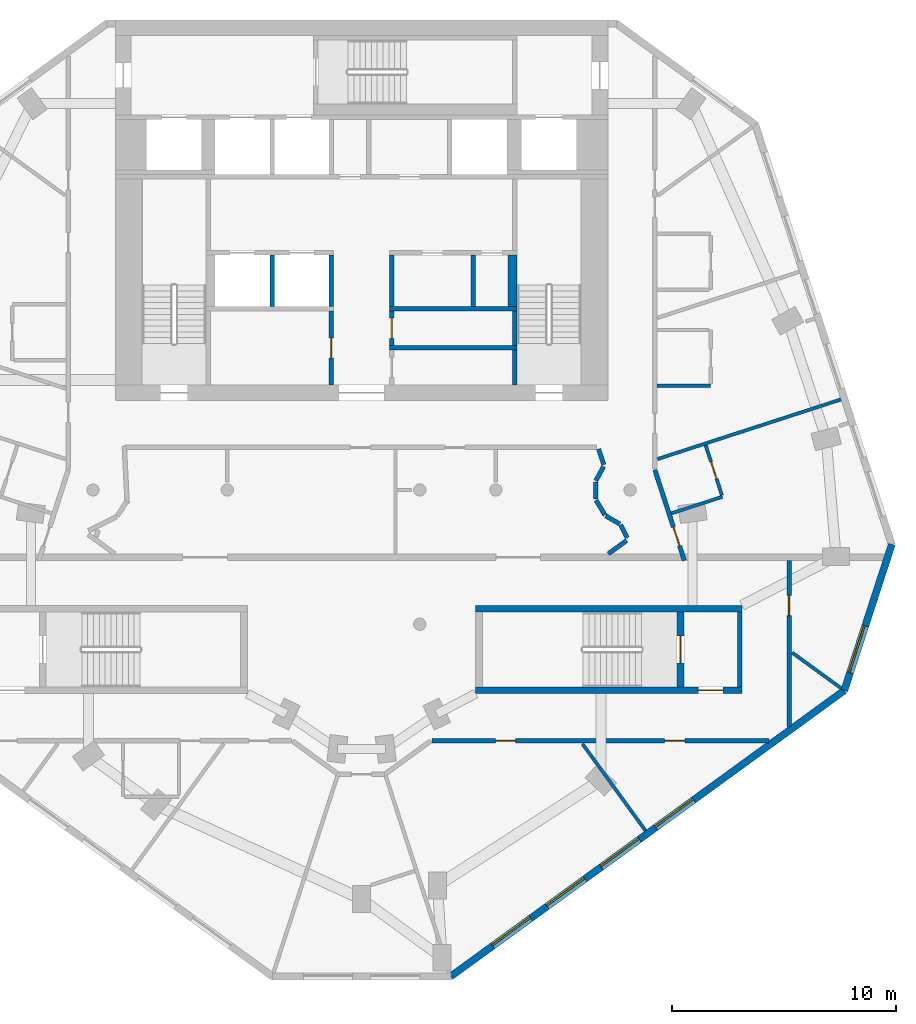
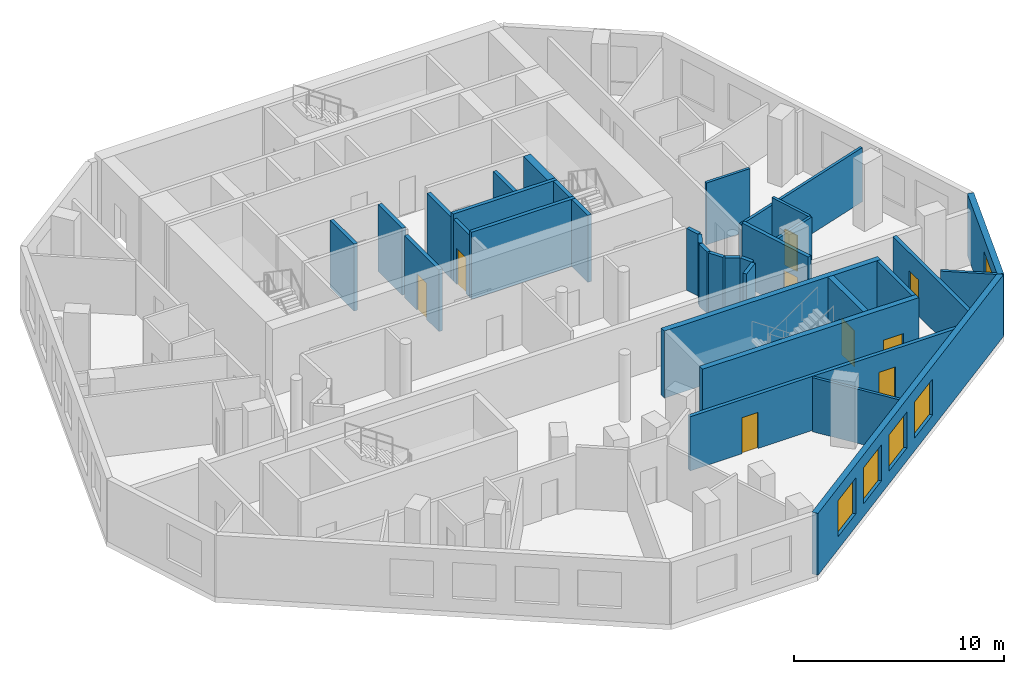
# One storey, part 4 of 9: 33 walls, 9 doors, 5 windows, 14 openings.
"""IFC4 building model written with IfcOpenShell, lengths in metres."""

from ifc_helpers import new_model, si_unit, direction, frame, frame_2d, origin, place, context, subcontext, project, spatial, rectangle, extrude, material, layer, layer_set, type_object, element, fill, save


model = new_model("IFC4")

# Units and contexts
model_context = context("Model", 3, precision=1e-05, world=origin(), true_north=direction((0.0, 1.0)))
body_context = subcontext(model_context, "Body", "Model", "MODEL_VIEW")
ifc_project = project(units=[si_unit("LENGTHUNIT", "METRE"), si_unit("AREAUNIT", "SQUARE_METRE"), si_unit("VOLUMEUNIT", "CUBIC_METRE"), si_unit("PLANEANGLEUNIT", "RADIAN"), si_unit("MASSUNIT", "GRAM", prefix="KILO")], contexts=[model_context])

# Site, building, storey
site_placement = place(None, origin())
site = spatial("IfcSite", under=ifc_project, at=site_placement, CompositionType="ELEMENT")
building_placement = place(site_placement, origin())
building = spatial("IfcBuilding", under=site, at=building_placement, Name="White Candle Pilgrim Tower", CompositionType="ELEMENT")
storey_placement = place(building_placement, frame((0.0, 0.0, 252.199951171875)))
storey = spatial("IfcBuildingStorey", under=building, at=storey_placement, Name="L59", CompositionType="ELEMENT", Elevation=252.199951171875)

# Wall
ifc_material_1 = material(Name="Concrete C50/60", Category="concrete")
ifc_layer_1 = layer(ifc_material_1, 0.199951171875)
ifc_layer_set_1 = layer_set([ifc_layer_1], Name="Core wall 200 mm Concrete C50/60")
wall_type_1 = type_object("IfcWallType", Name="Core wall 200 mm Concrete C50/60", PredefinedType="SHEAR", material=ifc_layer_set_1)
wall_1_placement = place(storey_placement, frame((86.89990234375, 58.199951171875, 0.0), z_axis=(0.0, 0.0, 1.0), x_axis=(0.0, 1.0, 0.0)))
element("IfcWall", 1, at=wall_1_placement, inside=storey, type_object=wall_type_1, Name="WL-L59-C08", PredefinedType="SHEAR", context=body_context, shape_type="SweptSolid", body=[
    extrude(rectangle(XDim=3.35009765625, YDim=0.199951171875, at=frame_2d((1.675048828125, 0.0))), origin(), (0.0, 0.0, 1.0), 3.900146484375),
])

# Wall, opening, door
ifc_material_2 = material(Name="Gypsum board on steel studs", Category="steel")
ifc_layer_2 = layer(ifc_material_2, 0.199951171875)
ifc_layer_set_2 = layer_set([ifc_layer_2], Name="Corridor wall 200 mm EI 45")
wall_type_2 = type_object("IfcWallType", Name="Corridor wall 200 mm EI 45", PredefinedType="PARTITIONING", material=ifc_layer_set_2)
wall_2_placement = place(storey_placement, frame((83.10498046875, 67.8974609375, 0.0), z_axis=(0.0, 0.0, 1.0), x_axis=(0.308990077211, -0.951065261791, 0.0)))
wall_2 = element("IfcWall", 2, at=wall_2_placement, inside=storey, type_object=wall_type_2, Name="WL-L59-P005", PredefinedType="PARTITIONING", context=body_context, shape_type="SweptSolid", body=[
    extrude(rectangle(XDim=4.255615234375, YDim=0.199951171875, at=frame_2d((2.1279296875, 0.0))), origin(), (0.0, 0.0, 1.0), 3.60009765625),
])
opening_1_placement = place(wall_2_placement, frame((2.675537109375, 0.0, 0.0)))
opening_1 = element("IfcOpeningElement", 3, at=opening_1_placement, cuts=wall_2, Name="Opening T18-124", PredefinedType="OPENING", context=body_context, shape_type="SweptSolid", body=[
    extrude(rectangle(XDim=0.89990234375, YDim=2.10009765625, at=frame_2d((0.449951171875, 1.050048828125))), frame((0.0, 0.10986328125, 0.0), z_axis=(0.0, -1.0, 0.0), x_axis=(1.0, 0.0, 0.0)), (0.0, 0.0, 1.0), 0.219970703125),
])
ifc_material_3 = material(Name="Steel door leaf", Category="steel")
door_type_1 = type_object("IfcDoorType", Name="Fire door 900 x 2100 EI 30", OperationType="NOTDEFINED", PredefinedType="DOOR", material=ifc_material_3)
door_1_placement = place(opening_1_placement, origin())
door_1 = element("IfcDoor", 4, at=door_1_placement, inside=storey, type_object=door_type_1, Name="Door T18-124", OperationType="SINGLE_SWING_RIGHT", OverallHeight=2.10009765625, OverallWidth=0.89990234375, PredefinedType="DOOR", context=body_context, shape_type="SweptSolid", body=[
    extrude(rectangle(XDim=0.89990234375, YDim=2.10009765625, at=frame_2d((0.449951171875, 1.050048828125))), frame((0.0, 0.02490234375, 0.0), z_axis=(0.0, -1.0, 0.0), x_axis=(1.0, 0.0, 0.0)), (0.0, 0.0, 1.0), 0.050048828125),
])
fill(opening_1, door_1)

wall_3_placement = place(storey_placement, frame((89.10009765625, 63.85009765625, 0.0), z_axis=(0.0, 0.0, 1.0), x_axis=(0.0, -1.0, 0.0)))
wall_3 = element("IfcWall", 5, at=wall_3_placement, inside=storey, type_object=wall_type_2, Name="WL-L59-P006", PredefinedType="PARTITIONING", context=body_context, shape_type="SweptSolid", body=[
    extrude(rectangle(XDim=7.40673828125, YDim=0.199951171875, at=frame_2d((3.703369140625, 0.0))), origin(), (0.0, 0.0, 1.0), 3.150146484375),
])
opening_2_placement = place(wall_3_placement, frame((1.5576171875, 0.0, 0.0)))
opening_2 = element("IfcOpeningElement", 6, at=opening_2_placement, cuts=wall_3, Name="Opening T18-111", PredefinedType="OPENING", context=body_context, shape_type="SweptSolid", body=[
    extrude(rectangle(XDim=0.89990234375, YDim=2.10009765625, at=frame_2d((0.449951171875, 1.050048828125))), frame((0.0, 0.10986328125, 0.0), z_axis=(0.0, -1.0, 0.0), x_axis=(1.0, 0.0, 0.0)), (0.0, 0.0, 1.0), 0.219970703125),
])
door_2_placement = place(opening_2_placement, origin())
door_2 = element("IfcDoor", 7, at=door_2_placement, inside=storey, type_object=door_type_1, Name="Door T18-111", OperationType="SINGLE_SWING_LEFT", OverallHeight=2.10009765625, OverallWidth=0.89990234375, PredefinedType="DOOR", context=body_context, shape_type="SweptSolid", body=[
    extrude(rectangle(XDim=0.89990234375, YDim=2.10009765625, at=frame_2d((0.449951171875, 1.050048828125))), frame((0.0, 0.02490234375, 0.0), z_axis=(0.0, -1.0, 0.0), x_axis=(1.0, 0.0, 0.0)), (0.0, 0.0, 1.0), 0.050048828125),
])
fill(opening_2, door_2)

# Wall, openings, doors
wall_4_placement = place(storey_placement, frame((88.21435546875, 55.800048828125, 0.0), z_axis=(0.0, 0.0, 1.0), x_axis=(-1.0, 0.0, 0.0)))
wall_4 = element("IfcWall", 8, at=wall_4_placement, inside=storey, type_object=wall_type_2, Name="WL-L59-P007", PredefinedType="PARTITIONING", context=body_context, shape_type="SweptSolid", body=[
    extrude(rectangle(XDim=15.074951171875, YDim=0.199951171875, at=frame_2d((7.53759765625, 0.0))), origin(), (0.0, 0.0, 1.0), 3.150146484375),
])
opening_3_placement = place(wall_4_placement, frame((11.327392578125, 0.0, 0.0)))
opening_3 = element("IfcOpeningElement", 9, at=opening_3_placement, cuts=wall_4, Name="Opening T18-109", PredefinedType="OPENING", context=body_context, shape_type="SweptSolid", body=[
    extrude(rectangle(XDim=0.89990234375, YDim=2.10009765625, at=frame_2d((0.449951171875, 1.050048828125))), frame((0.0, 0.10986328125, 0.0), z_axis=(0.0, -1.0, 0.0), x_axis=(1.0, 0.0, 0.0)), (0.0, 0.0, 1.0), 0.219970703125),
])
opening_4_placement = place(wall_4_placement, frame((3.773681640625, 0.0, 0.0)))
opening_4 = element("IfcOpeningElement", 10, at=opening_4_placement, cuts=wall_4, Name="Opening T18-110", PredefinedType="OPENING", context=body_context, shape_type="SweptSolid", body=[
    extrude(rectangle(XDim=0.89990234375, YDim=2.10009765625, at=frame_2d((0.449951171875, 1.050048828125))), frame((0.0, 0.10986328125, 0.0), z_axis=(0.0, -1.0, 0.0), x_axis=(1.0, 0.0, 0.0)), (0.0, 0.0, 1.0), 0.219970703125),
])
door_3_placement = place(opening_3_placement, origin())
door_3 = element("IfcDoor", 11, at=door_3_placement, inside=storey, type_object=door_type_1, Name="Door T18-109", OperationType="SINGLE_SWING_LEFT", OverallHeight=2.10009765625, OverallWidth=0.89990234375, PredefinedType="DOOR", context=body_context, shape_type="SweptSolid", body=[
    extrude(rectangle(XDim=0.89990234375, YDim=2.10009765625, at=frame_2d((0.449951171875, 1.050048828125))), frame((0.0, 0.02490234375, 0.0), z_axis=(0.0, -1.0, 0.0), x_axis=(1.0, 0.0, 0.0)), (0.0, 0.0, 1.0), 0.050048828125),
])
fill(opening_3, door_3)
door_4_placement = place(opening_4_placement, origin())
door_4 = element("IfcDoor", 12, at=door_4_placement, inside=storey, type_object=door_type_1, Name="Door T18-110", OperationType="SINGLE_SWING_RIGHT", OverallHeight=2.10009765625, OverallWidth=0.89990234375, PredefinedType="DOOR", context=body_context, shape_type="SweptSolid", body=[
    extrude(rectangle(XDim=0.89990234375, YDim=2.10009765625, at=frame_2d((0.449951171875, 1.050048828125))), frame((0.0, 0.02490234375, 0.0), z_axis=(0.0, -1.0, 0.0), x_axis=(1.0, 0.0, 0.0)), (0.0, 0.0, 1.0), 0.050048828125),
])
fill(opening_4, door_4)

# Walls
wall_5_placement = place(storey_placement, frame((81.539306640625, 65.480224609375, 0.0), z_axis=(0.0, 0.0, 1.0), x_axis=(-0.866039913117, 0.499974868256, 0.0)))
element("IfcWall", 13, at=wall_5_placement, inside=storey, type_object=wall_type_2, Name="WL-L59-P013", PredefinedType="PARTITIONING", context=body_context, shape_type="SweptSolid", body=[
    extrude(rectangle(XDim=0.7255859375, YDim=0.199951171875, at=frame_2d((0.36279296875, 0.0))), origin(), (0.0, 0.0, 1.0), 3.60009765625),
])
wall_6_placement = place(storey_placement, frame((80.875, 65.87841796875, 0.0), z_axis=(0.0, 0.0, 1.0), x_axis=(-0.512310997374, 0.858800001147, 0.0)))
element("IfcWall", 14, at=wall_6_placement, inside=storey, type_object=wall_type_2, Name="WL-L59-P014", PredefinedType="PARTITIONING", context=body_context, shape_type="SweptSolid", body=[
    extrude(rectangle(XDim=0.77294921875, YDim=0.199951171875, at=frame_2d((0.386474609375, 0.0))), origin(), (0.0, 0.0, 1.0), 3.60009765625),
])
wall_7_placement = place(storey_placement, frame((80.46484375, 66.592041015625, 0.0), z_axis=(0.0, 0.0, 1.0), x_axis=(-0.014221064918, 0.999898875543, 0.0)))
element("IfcWall", 15, at=wall_7_placement, inside=storey, type_object=wall_type_2, Name="WL-L59-P015", PredefinedType="PARTITIONING", context=body_context, shape_type="SweptSolid", body=[
    extrude(rectangle(XDim=0.7724609375, YDim=0.199951171875, at=frame_2d((0.38623046875, 0.0))), origin(), (0.0, 0.0, 1.0), 3.60009765625),
])
wall_8_placement = place(storey_placement, frame((80.466064453125, 67.413818359375, 0.0), z_axis=(0.0, 0.0, 1.0), x_axis=(0.479205511967, 0.877702727181, 0.0)))
element("IfcWall", 16, at=wall_8_placement, inside=storey, type_object=wall_type_2, Name="WL-L59-P016", PredefinedType="PARTITIONING", context=body_context, shape_type="SweptSolid", body=[
    extrude(rectangle(XDim=0.72607421875, YDim=0.199951171875, at=frame_2d((0.363037109375, 0.0))), origin(), (0.0, 0.0, 1.0), 3.60009765625),
])
wall_9_placement = place(storey_placement, frame((80.8212890625, 68.1298828125, 0.0), z_axis=(0.0, 0.0, 1.0), x_axis=(-0.309063601395, 0.951041371494, 0.0)))
element("IfcWall", 17, at=wall_9_placement, inside=storey, type_object=wall_type_2, Name="WL-L59-P017", PredefinedType="PARTITIONING", context=body_context, shape_type="SweptSolid", body=[
    extrude(rectangle(XDim=0.737060546875, YDim=0.199951171875, at=frame_2d((0.36865234375, 0.0))), origin(), (0.0, 0.0, 1.0), 3.60009765625),
])
wall_10_placement = place(storey_placement, frame((81.02685546875, 64.14990234375, 0.0), z_axis=(0.0, 0.0, 1.0), x_axis=(0.808967693003, 0.587853103826, 0.0)))
element("IfcWall", 18, at=wall_10_placement, inside=storey, type_object=wall_type_2, Name="WL-L59-P023", PredefinedType="PARTITIONING", context=body_context, shape_type="SweptSolid", body=[
    extrude(rectangle(XDim=1.00244140625, YDim=0.199951171875, at=frame_2d((0.501220703125, 0.0))), origin(), (0.0, 0.0, 1.0), 3.60009765625),
])
wall_11_placement = place(storey_placement, frame((81.868408203125, 64.865234375, 0.0), z_axis=(0.0, 0.0, 1.0), x_axis=(-0.451009131745, 0.892519334851, 0.0)))
element("IfcWall", 19, at=wall_11_placement, inside=storey, type_object=wall_type_2, Name="WL-L59-P024", PredefinedType="PARTITIONING", context=body_context, shape_type="SweptSolid", body=[
    extrude(rectangle(XDim=0.642578125, YDim=0.199951171875, at=frame_2d((0.3212890625, 0.0))), origin(), (0.0, 0.0, 1.0), 3.60009765625),
])

# Wall, openings, windows
ifc_material_4 = material(Name="Precast concrete C40/50", Category="concrete")
ifc_layer_3 = layer(ifc_material_4, 0.320068359375)
ifc_layer_set_3 = layer_set([ifc_layer_3], Name="Facade wall EW1 precast concrete C40/50 pier wall with timber-lined reveals")
wall_type_3 = type_object("IfcWallType", Name="Facade wall EW1 precast concrete C40/50 pier wall with timber-lined reveals", PredefinedType="SOLIDWALL", material=ifc_layer_set_3)
wall_12_placement = place(storey_placement, frame((73.98876953125, 45.2666015625, 0.0), z_axis=(0.0, 0.0, 1.0), x_axis=(0.809018242367, 0.587783534575, 0.0)))
wall_12 = element("IfcWall", 20, at=wall_12_placement, inside=storey, type_object=wall_type_3, Name="Facade wall L59 SE", PredefinedType="SOLIDWALL", context=body_context, shape_type="SweptSolid", body=[
    extrude(rectangle(XDim=21.73193359375, YDim=0.320068359375, at=frame_2d((10.865966796875, 0.0))), origin(), (0.0, 0.0, 1.0), 3.60009765625),
])
opening_5_placement = place(wall_12_placement, frame((2.31591796875, 0.0, 0.75)))
opening_5 = element("IfcOpeningElement", 21, at=opening_5_placement, cuts=wall_12, Name="Opening W3", PredefinedType="OPENING", context=body_context, shape_type="SweptSolid", body=[
    extrude(rectangle(XDim=2.10009765625, YDim=2.10009765625, at=frame_2d((1.050048828125, 1.050048828125))), frame((0.0, 0.169921875, 0.0), z_axis=(0.0, -1.0, 0.0), x_axis=(1.0, 0.0, 0.0)), (0.0, 0.0, 1.0), 0.340087890625),
])
opening_6_placement = place(wall_12_placement, frame((5.31591796875, 0.0, 0.75)))
opening_6 = element("IfcOpeningElement", 22, at=opening_6_placement, cuts=wall_12, Name="Opening W3", PredefinedType="OPENING", context=body_context, shape_type="SweptSolid", body=[
    extrude(rectangle(XDim=2.10009765625, YDim=2.10009765625, at=frame_2d((1.050048828125, 1.050048828125))), frame((0.0, 0.169921875, 0.0), z_axis=(0.0, -1.0, 0.0), x_axis=(1.0, 0.0, 0.0)), (0.0, 0.0, 1.0), 0.340087890625),
])
opening_7_placement = place(wall_12_placement, frame((8.31591796875, 0.0, 0.75)))
opening_7 = element("IfcOpeningElement", 23, at=opening_7_placement, cuts=wall_12, Name="Opening W3", PredefinedType="OPENING", context=body_context, shape_type="SweptSolid", body=[
    extrude(rectangle(XDim=2.10009765625, YDim=2.10009765625, at=frame_2d((1.050048828125, 1.050048828125))), frame((0.0, 0.169921875, 0.0), z_axis=(0.0, -1.0, 0.0), x_axis=(1.0, 0.0, 0.0)), (0.0, 0.0, 1.0), 0.340087890625),
])
opening_8_placement = place(wall_12_placement, frame((11.31591796875, 0.0, 0.75)))
opening_8 = element("IfcOpeningElement", 24, at=opening_8_placement, cuts=wall_12, Name="Opening W3", PredefinedType="OPENING", context=body_context, shape_type="SweptSolid", body=[
    extrude(rectangle(XDim=2.10009765625, YDim=2.10009765625, at=frame_2d((1.050048828125, 1.050048828125))), frame((0.0, 0.169921875, 0.0), z_axis=(0.0, -1.0, 0.0), x_axis=(1.0, 0.0, 0.0)), (0.0, 0.0, 1.0), 0.340087890625),
])
ifc_material_5 = material(Name="Timber frame with triple glazing", Category="wood")
window_type_1 = type_object("IfcWindowType", Name="Window W3 2100x2100 timber frame triple glazing", PartitioningType="SINGLE_PANEL", PredefinedType="WINDOW", material=ifc_material_5)
window_1_placement = place(opening_5_placement, origin())
window_1 = element("IfcWindow", 25, at=window_1_placement, inside=storey, type_object=window_type_1, Name="Window W3 L59 SE 1", OverallHeight=2.10009765625, OverallWidth=2.10009765625, PartitioningType="SINGLE_PANEL", PredefinedType="WINDOW", context=body_context, shape_type="SweptSolid", body=[
    extrude(rectangle(XDim=2.10009765625, YDim=2.10009765625, at=frame_2d((1.050048828125, 1.050048828125))), frame((0.0, 0.070068359375, 0.0), z_axis=(0.0, -1.0, 0.0), x_axis=(1.0, 0.0, 0.0)), (0.0, 0.0, 1.0), 0.06005859375),
])
fill(opening_5, window_1)
window_2_placement = place(opening_6_placement, origin())
window_2 = element("IfcWindow", 26, at=window_2_placement, inside=storey, type_object=window_type_1, Name="Window W3 L59 SE 2", OverallHeight=2.10009765625, OverallWidth=2.10009765625, PartitioningType="SINGLE_PANEL", PredefinedType="WINDOW", context=body_context, shape_type="SweptSolid", body=[
    extrude(rectangle(XDim=2.10009765625, YDim=2.10009765625, at=frame_2d((1.050048828125, 1.050048828125))), frame((0.0, 0.070068359375, 0.0), z_axis=(0.0, -1.0, 0.0), x_axis=(1.0, 0.0, 0.0)), (0.0, 0.0, 1.0), 0.06005859375),
])
fill(opening_6, window_2)
window_3_placement = place(opening_7_placement, origin())
window_3 = element("IfcWindow", 27, at=window_3_placement, inside=storey, type_object=window_type_1, Name="Window W3 L59 SE 3", OverallHeight=2.10009765625, OverallWidth=2.10009765625, PartitioningType="SINGLE_PANEL", PredefinedType="WINDOW", context=body_context, shape_type="SweptSolid", body=[
    extrude(rectangle(XDim=2.10009765625, YDim=2.10009765625, at=frame_2d((1.050048828125, 1.050048828125))), frame((0.0, 0.070068359375, 0.0), z_axis=(0.0, -1.0, 0.0), x_axis=(1.0, 0.0, 0.0)), (0.0, 0.0, 1.0), 0.06005859375),
])
fill(opening_7, window_3)
window_4_placement = place(opening_8_placement, origin())
window_4 = element("IfcWindow", 28, at=window_4_placement, inside=storey, type_object=window_type_1, Name="Window W3 L59 SE 4", OverallHeight=2.10009765625, OverallWidth=2.10009765625, PartitioningType="SINGLE_PANEL", PredefinedType="WINDOW", context=body_context, shape_type="SweptSolid", body=[
    extrude(rectangle(XDim=2.10009765625, YDim=2.10009765625, at=frame_2d((1.050048828125, 1.050048828125))), frame((0.0, 0.070068359375, 0.0), z_axis=(0.0, -1.0, 0.0), x_axis=(1.0, 0.0, 0.0)), (0.0, 0.0, 1.0), 0.06005859375),
])
fill(opening_8, window_4)

# Wall, opening, window
wall_13_placement = place(storey_placement, frame((91.5703125, 58.040283203125, 0.0), z_axis=(0.0, 0.0, 1.0), x_axis=(0.309016913419, 0.951056542599, 0.0)))
wall_13 = element("IfcWall", 29, at=wall_13_placement, inside=storey, type_object=wall_type_3, Name="Facade wall L59 E chamfer", PredefinedType="SOLIDWALL", context=body_context, shape_type="SweptSolid", body=[
    extrude(rectangle(XDim=6.86474609375, YDim=0.320068359375, at=frame_2d((3.432373046875, 0.0))), origin(), (0.0, 0.0, 1.0), 3.60009765625),
])
opening_9_placement = place(wall_13_placement, frame((0.83251953125, 0.0, 0.75)))
opening_9 = element("IfcOpeningElement", 30, at=opening_9_placement, cuts=wall_13, Name="Opening W4", PredefinedType="OPENING", context=body_context, shape_type="SweptSolid", body=[
    extrude(rectangle(XDim=2.199951171875, YDim=2.10009765625, at=frame_2d((1.10009765625, 1.050048828125))), frame((0.0, 0.169921875, 0.0), z_axis=(0.0, -1.0, 0.0), x_axis=(1.0, 0.0, 0.0)), (0.0, 0.0, 1.0), 0.340087890625),
])
window_type_2 = type_object("IfcWindowType", Name="Window W4 2200x2100 timber frame triple glazing", PartitioningType="SINGLE_PANEL", PredefinedType="WINDOW", material=ifc_material_5)
window_5_placement = place(opening_9_placement, origin())
window_5 = element("IfcWindow", 31, at=window_5_placement, inside=storey, type_object=window_type_2, Name="Window W4 L59 E chamfer 1", OverallHeight=2.10009765625, OverallWidth=2.199951171875, PartitioningType="SINGLE_PANEL", PredefinedType="WINDOW", context=body_context, shape_type="SweptSolid", body=[
    extrude(rectangle(XDim=2.199951171875, YDim=2.10009765625, at=frame_2d((1.10009765625, 1.050048828125))), frame((0.0, 0.070068359375, 0.0), z_axis=(0.0, -1.0, 0.0), x_axis=(1.0, 0.0, 0.0)), (0.0, 0.0, 1.0), 0.06005859375),
])
fill(opening_9, window_5)

# Wall, opening, door
ifc_layer_4 = layer(ifc_material_2, 0.199951171875)
ifc_layer_set_4 = layer_set([ifc_layer_4], Name="Lobby wall 200 mm EI 60")
wall_type_4 = type_object("IfcWallType", Name="Lobby wall 200 mm EI 60", PredefinedType="PARTITIONING", material=ifc_layer_set_4)
wall_14_placement = place(storey_placement, frame((68.64990234375, 71.699951171875, 0.0), z_axis=(0.0, 0.0, 1.0), x_axis=(0.0, 1.0, 0.0)))
wall_14 = element("IfcWall", 32, at=wall_14_placement, inside=storey, type_object=wall_type_4, Name="WL-L59-C14", PredefinedType="PARTITIONING", context=body_context, shape_type="SweptSolid", body=[
    extrude(rectangle(XDim=3.300048828125, YDim=0.199951171875, at=frame_2d((1.64990234375, 0.0))), origin(), (0.0, 0.0, 1.0), 3.60009765625),
])
opening_10_placement = place(wall_14_placement, frame((1.199951171875, 0.0, 0.0)))
opening_10 = element("IfcOpeningElement", 33, at=opening_10_placement, cuts=wall_14, Name="Opening T18-005", PredefinedType="OPENING", context=body_context, shape_type="SweptSolid", body=[
    extrude(rectangle(XDim=0.89990234375, YDim=2.10009765625, at=frame_2d((0.449951171875, 1.050048828125))), frame((0.0, 0.10986328125, 0.0), z_axis=(0.0, -1.0, 0.0), x_axis=(1.0, 0.0, 0.0)), (0.0, 0.0, 1.0), 0.219970703125),
])
door_5_placement = place(opening_10_placement, origin())
door_5 = element("IfcDoor", 34, at=door_5_placement, inside=storey, type_object=door_type_1, Name="Door T18-005", OperationType="SINGLE_SWING_LEFT", OverallHeight=2.10009765625, OverallWidth=0.89990234375, PredefinedType="DOOR", context=body_context, shape_type="SweptSolid", body=[
    extrude(rectangle(XDim=0.89990234375, YDim=2.10009765625, at=frame_2d((0.449951171875, 1.050048828125))), frame((0.0, 0.02490234375, 0.0), z_axis=(0.0, -1.0, 0.0), x_axis=(1.0, 0.0, 0.0)), (0.0, 0.0, 1.0), 0.050048828125),
])
fill(opening_10, door_5)

wall_15_placement = place(storey_placement, frame((71.35009765625, 73.449951171875, 0.0), z_axis=(0.0, 0.0, 1.0), x_axis=(0.0, 1.0, 0.0)))
wall_15 = element("IfcWall", 35, at=wall_15_placement, inside=storey, type_object=wall_type_4, Name="WL-L59-C19", PredefinedType="PARTITIONING", context=body_context, shape_type="SweptSolid", body=[
    extrude(rectangle(XDim=1.550048828125, YDim=0.199951171875, at=frame_2d((0.77490234375, 0.0))), origin(), (0.0, 0.0, 1.0), 3.60009765625),
])
opening_11_placement = place(wall_15_placement, frame((0.324951171875, 0.0, 0.0)))
opening_11 = element("IfcOpeningElement", 36, at=opening_11_placement, cuts=wall_15, Name="Opening T18-007", PredefinedType="OPENING", context=body_context, shape_type="SweptSolid", body=[
    extrude(rectangle(XDim=0.89990234375, YDim=2.10009765625, at=frame_2d((0.449951171875, 1.050048828125))), frame((0.0, 0.10986328125, 0.0), z_axis=(0.0, -1.0, 0.0), x_axis=(1.0, 0.0, 0.0)), (0.0, 0.0, 1.0), 0.219970703125),
])
door_6_placement = place(opening_11_placement, origin())
door_6 = element("IfcDoor", 37, at=door_6_placement, inside=storey, type_object=door_type_1, Name="Door T18-007", OperationType="SINGLE_SWING_LEFT", OverallHeight=2.10009765625, OverallWidth=0.89990234375, PredefinedType="DOOR", context=body_context, shape_type="SweptSolid", body=[
    extrude(rectangle(XDim=0.89990234375, YDim=2.10009765625, at=frame_2d((0.449951171875, 1.050048828125))), frame((0.0, 0.02490234375, 0.0), z_axis=(0.0, -1.0, 0.0), x_axis=(1.0, 0.0, 0.0)), (0.0, 0.0, 1.0), 0.050048828125),
])
fill(opening_11, door_6)

# Walls
for number, where, z_axis, x_axis, name in (
    (38, (71.35009765625, 75.199951171875, 0.0), (0.0, 0.0, 1.0), (0.0, 1.0, 0.0), "WL-L59-C26"),
    (39, (74.97998046875, 75.199951171875, 0.0), (0.0, 0.0, 1.0), (0.0, 1.0, 0.0), "WL-L59-C27"),
):
    element("IfcWall", number, at=place(storey_placement, frame(where, z_axis=z_axis, x_axis=x_axis)), inside=storey, type_object=wall_type_4, Name=name, PredefinedType="PARTITIONING", context=body_context, shape_type="SweptSolid", body=[
        extrude(rectangle(XDim=2.300048828125, YDim=0.199951171875, at=frame_2d((1.14990234375, 0.0))), origin(), (0.0, 0.0, 1.0), 3.60009765625),
    ])
ifc_layer_5 = layer(ifc_material_2, 0.14990234375)
ifc_layer_set_5 = layer_set([ifc_layer_5], Name="Partition 150 mm EI 60")
wall_type_5 = type_object("IfcWallType", Name="Partition 150 mm EI 60", PredefinedType="PARTITIONING", material=ifc_layer_set_5)
wall_16_placement = place(storey_placement, frame((91.43408203125, 58.13916015625, 0.0), z_axis=(0.0, 0.0, 1.0), x_axis=(-0.808977814749, 0.587839174642, 0.0)))
element("IfcWall", 40, at=wall_16_placement, inside=storey, type_object=wall_type_5, Name="WL-L59-P029", PredefinedType="PARTITIONING", context=body_context, shape_type="SweptSolid", body=[
    extrude(rectangle(XDim=2.70703125, YDim=0.14990234375, at=frame_2d((1.353515625, 0.0))), origin(), (0.0, 0.0, 1.0), 3.60009765625),
])
wall_17_placement = place(storey_placement, frame((82.685302734375, 51.782958984375, 0.0), z_axis=(0.0, 0.0, 1.0), x_axis=(-0.587756190128, 0.809038108476, 0.0)))
element("IfcWall", 41, at=wall_17_placement, inside=storey, type_object=wall_type_5, Name="WL-L59-P043", PredefinedType="PARTITIONING", context=body_context, shape_type="SweptSolid", body=[
    extrude(rectangle(XDim=4.787109375, YDim=0.14990234375, at=frame_2d((2.3935546875, 0.0))), origin(), (0.0, 0.0, 1.0), 3.150146484375),
])
wall_18_placement = place(storey_placement, frame((91.4189453125, 71.04541015625, 0.0), z_axis=(0.0, 0.0, 1.0), x_axis=(-0.951052804469, -0.309028417967, 0.0)))
element("IfcWall", 42, at=wall_18_placement, inside=storey, type_object=wall_type_5, Name="WL-L59-P044", PredefinedType="PARTITIONING", context=body_context, shape_type="SweptSolid", body=[
    extrude(rectangle(XDim=8.61767578125, YDim=0.14990234375, at=frame_2d((4.308837890625, 0.0))), origin(), (0.0, 0.0, 1.0), 3.150146484375),
])
wall_19_placement = place(storey_placement, frame((83.84130859375, 65.95458984375, 0.0), z_axis=(0.0, 0.0, 1.0), x_axis=(0.951046776628, 0.309046968381, 0.0)))
element("IfcWall", 43, at=wall_19_placement, inside=storey, type_object=wall_type_5, Name="WL-L59-P046", PredefinedType="PARTITIONING", context=body_context, shape_type="SweptSolid", body=[
    extrude(rectangle(XDim=2.39990234375, YDim=0.14990234375, at=frame_2d((1.199951171875, 0.0))), origin(), (0.0, 0.0, 1.0), 3.60009765625),
])

# Wall, opening, door
wall_20_placement = place(storey_placement, frame((85.37451171875, 69.002685546875, 0.0), z_axis=(0.0, 0.0, 1.0), x_axis=(0.308956872689, -0.951076048914, 0.0)))
wall_20 = element("IfcWall", 44, at=wall_20_placement, inside=storey, type_object=wall_type_5, Name="WL-L59-P047", PredefinedType="PARTITIONING", context=body_context, shape_type="SweptSolid", body=[
    extrude(rectangle(XDim=2.35009765625, YDim=0.14990234375, at=frame_2d((1.175048828125, 0.0))), origin(), (0.0, 0.0, 1.0), 3.60009765625),
])
opening_12_placement = place(wall_20_placement, frame((0.77490234375, 0.0, 0.0)))
opening_12 = element("IfcOpeningElement", 45, at=opening_12_placement, cuts=wall_20, Name="Opening T18-112", PredefinedType="OPENING", context=body_context, shape_type="SweptSolid", body=[
    extrude(rectangle(XDim=0.800048828125, YDim=2.10009765625, at=frame_2d((0.39990234375, 1.050048828125))), frame((0.0, 0.0849609375, 0.0), z_axis=(0.0, -1.0, 0.0), x_axis=(1.0, 0.0, 0.0)), (0.0, 0.0, 1.0), 0.169921875),
])
door_type_2 = type_object("IfcDoorType", Name="Fire door 800 x 2100 EI 30", OperationType="NOTDEFINED", PredefinedType="DOOR", material=ifc_material_3)
door_7_placement = place(opening_12_placement, origin())
door_7 = element("IfcDoor", 46, at=door_7_placement, inside=storey, type_object=door_type_2, Name="Door T18-112", OperationType="SINGLE_SWING_RIGHT", OverallHeight=2.10009765625, OverallWidth=0.800048828125, PredefinedType="DOOR", context=body_context, shape_type="SweptSolid", body=[
    extrude(rectangle(XDim=0.800048828125, YDim=2.10009765625, at=frame_2d((0.39990234375, 1.050048828125))), frame((0.0, 0.02490234375, 0.0), z_axis=(0.0, -1.0, 0.0), x_axis=(1.0, 0.0, 0.0)), (0.0, 0.0, 1.0), 0.050048828125),
])
fill(opening_12, door_7)

# Walls
wall_21_placement = place(storey_placement, frame((83.199951171875, 71.651123046875, 0.0), z_axis=(0.0, 0.0, 1.0), x_axis=(1.0, 0.0, 0.0)))
element("IfcWall", 47, at=wall_21_placement, inside=storey, type_object=wall_type_5, Name="WL-L59-P048", PredefinedType="PARTITIONING", context=body_context, shape_type="SweptSolid", body=[
    extrude(rectangle(XDim=2.400146484375, YDim=0.14990234375, at=frame_2d((1.2001953125, 0.0))), origin(), (0.0, 0.0, 1.0), 3.60009765625),
])
ifc_layer_6 = layer(ifc_material_1, 0.199951171875)
ifc_layer_set_6 = layer_set([ifc_layer_6], Name="Shaft wall 200 mm Concrete C50/60")
wall_type_6 = type_object("IfcWallType", Name="Shaft wall 200 mm Concrete C50/60", PredefinedType="SHEAR", material=ifc_layer_set_6)
for number, where, z_axis, x_axis, name in (
    (48, (66.0, 75.199951171875, 0.0), (0.0, 0.0, 1.0), (0.0, 1.0, 0.0), "WL-L59-C24"),
    (49, (68.64990234375, 75.199951171875, 0.0), (0.0, 0.0, 1.0), (0.0, 1.0, 0.0), "WL-L59-C25"),
):
    element("IfcWall", number, at=place(storey_placement, frame(where, z_axis=z_axis, x_axis=x_axis)), inside=storey, type_object=wall_type_6, Name=name, PredefinedType="SHEAR", context=body_context, shape_type="SweptSolid", body=[
        extrude(rectangle(XDim=2.300048828125, YDim=0.199951171875, at=frame_2d((1.14990234375, 0.0))), origin(), (0.0, 0.0, 1.0), 3.900146484375),
    ])
ifc_layer_7 = layer(ifc_material_1, 0.199951171875)
ifc_layer_set_7 = layer_set([ifc_layer_7], Name="Stair shaft wall 200 mm Concrete C50/60")
wall_type_7 = type_object("IfcWallType", Name="Stair shaft wall 200 mm Concrete C50/60", PredefinedType="SHEAR", material=ifc_layer_set_7)
wall_22_placement = place(storey_placement, frame((76.85009765625, 71.699951171875, 0.0), z_axis=(0.0, 0.0, 1.0), x_axis=(0.0, 1.0, 0.0)))
element("IfcWall", 50, at=wall_22_placement, inside=storey, type_object=wall_type_7, Name="WL-L59-C16", PredefinedType="SHEAR", context=body_context, shape_type="SweptSolid", body=[
    extrude(rectangle(XDim=1.550048828125, YDim=0.199951171875, at=frame_2d((0.77490234375, 0.0))), origin(), (0.0, 0.0, 1.0), 3.900146484375),
])
wall_23_placement = place(storey_placement, frame((71.25, 73.35009765625, 0.0), z_axis=(0.0, 0.0, 1.0), x_axis=(1.0, 0.0, 0.0)))
element("IfcWall", 51, at=wall_23_placement, inside=storey, type_object=wall_type_7, Name="WL-L59-C18", PredefinedType="SHEAR", context=body_context, shape_type="SweptSolid", body=[
    extrude(rectangle(XDim=5.699951171875, YDim=0.199951171875, at=frame_2d((2.85009765625, 0.0))), origin(), (0.0, 0.0, 1.0), 3.900146484375),
])
wall_24_placement = place(storey_placement, frame((76.85009765625, 73.449951171875, 0.0), z_axis=(0.0, 0.0, 1.0), x_axis=(0.0, 1.0, 0.0)))
element("IfcWall", 52, at=wall_24_placement, inside=storey, type_object=wall_type_7, Name="WL-L59-C20", PredefinedType="SHEAR", context=body_context, shape_type="SweptSolid", body=[
    extrude(rectangle(XDim=1.550048828125, YDim=0.199951171875, at=frame_2d((0.77490234375, 0.0))), origin(), (0.0, 0.0, 1.0), 3.900146484375),
])
wall_25_placement = place(storey_placement, frame((71.25, 75.10009765625, 0.0), z_axis=(0.0, 0.0, 1.0), x_axis=(1.0, 0.0, 0.0)))
element("IfcWall", 53, at=wall_25_placement, inside=storey, type_object=wall_type_7, Name="WL-L59-C22", PredefinedType="SHEAR", context=body_context, shape_type="SweptSolid", body=[
    extrude(rectangle(XDim=5.699951171875, YDim=0.199951171875, at=frame_2d((2.85009765625, 0.0))), origin(), (0.0, 0.0, 1.0), 3.900146484375),
])

# Wall, opening, door
ifc_layer_8 = layer(ifc_material_1, 0.300048828125)
ifc_layer_set_8 = layer_set([ifc_layer_8], Name="Stair shaft wall 300 mm Concrete C50/60")
wall_type_8 = type_object("IfcWallType", Name="Stair shaft wall 300 mm Concrete C50/60", PredefinedType="SHEAR", material=ifc_layer_set_8)
wall_26_placement = place(storey_placement, frame((75.10009765625, 58.050048828125, 0.0), z_axis=(0.0, 0.0, 1.0), x_axis=(1.0, 0.0, 0.0)))
wall_26 = element("IfcWall", 54, at=wall_26_placement, inside=storey, type_object=wall_type_8, Name="WL-L59-C02", PredefinedType="SHEAR", context=body_context, shape_type="SweptSolid", body=[
    extrude(rectangle(XDim=11.89990234375, YDim=0.300048828125, at=frame_2d((5.949951171875, 0.0))), origin(), (0.0, 0.0, 1.0), 3.900146484375),
])
opening_13_placement = place(wall_26_placement, frame((9.949951171875, 0.0, 0.0)))
opening_13 = element("IfcOpeningElement", 55, at=opening_13_placement, cuts=wall_26, Name="Opening T18-012", PredefinedType="OPENING", context=body_context, shape_type="SweptSolid", body=[
    extrude(rectangle(XDim=1.10009765625, YDim=2.10009765625, at=frame_2d((0.550048828125, 1.050048828125))), frame((0.0, 0.159912109375, 0.0), z_axis=(0.0, -1.0, 0.0), x_axis=(1.0, 0.0, 0.0)), (0.0, 0.0, 1.0), 0.320068359375),
])
door_type_3 = type_object("IfcDoorType", Name="Fire door 1100 x 2100 EI 60", OperationType="NOTDEFINED", PredefinedType="DOOR", material=ifc_material_3)
door_8_placement = place(opening_13_placement, origin())
door_8 = element("IfcDoor", 56, at=door_8_placement, inside=storey, type_object=door_type_3, Name="Door T18-012", OperationType="SINGLE_SWING_RIGHT", OverallHeight=2.10009765625, OverallWidth=1.10009765625, PredefinedType="DOOR", context=body_context, shape_type="SweptSolid", body=[
    extrude(rectangle(XDim=1.10009765625, YDim=2.10009765625, at=frame_2d((0.550048828125, 1.050048828125))), frame((0.0, 0.02490234375, 0.0), z_axis=(0.0, -1.0, 0.0), x_axis=(1.0, 0.0, 0.0)), (0.0, 0.0, 1.0), 0.050048828125),
])
fill(opening_13, door_8)

wall_27_placement = place(storey_placement, frame((84.25, 58.199951171875, 0.0), z_axis=(0.0, 0.0, 1.0), x_axis=(0.0, 1.0, 0.0)))
wall_27 = element("IfcWall", 57, at=wall_27_placement, inside=storey, type_object=wall_type_8, Name="WL-L59-C07", PredefinedType="SHEAR", context=body_context, shape_type="SweptSolid", body=[
    extrude(rectangle(XDim=3.35009765625, YDim=0.300048828125, at=frame_2d((1.675048828125, 0.0))), origin(), (0.0, 0.0, 1.0), 3.900146484375),
])
opening_14_placement = place(wall_27_placement, frame((1.074951171875, 0.0, 0.0)))
opening_14 = element("IfcOpeningElement", 58, at=opening_14_placement, cuts=wall_27, Name="Opening T18-013", PredefinedType="OPENING", context=body_context, shape_type="SweptSolid", body=[
    extrude(rectangle(XDim=1.199951171875, YDim=2.10009765625, at=frame_2d((0.60009765625, 1.050048828125))), frame((0.0, 0.159912109375, 0.0), z_axis=(0.0, -1.0, 0.0), x_axis=(1.0, 0.0, 0.0)), (0.0, 0.0, 1.0), 0.320068359375),
])
door_type_4 = type_object("IfcDoorType", Name="Fire door 1200 x 2100 EI 60", OperationType="NOTDEFINED", PredefinedType="DOOR", material=ifc_material_3)
door_9_placement = place(opening_14_placement, origin())
door_9 = element("IfcDoor", 59, at=door_9_placement, inside=storey, type_object=door_type_4, Name="Door T18-013", OperationType="SINGLE_SWING_LEFT", OverallHeight=2.10009765625, OverallWidth=1.199951171875, PredefinedType="DOOR", context=body_context, shape_type="SweptSolid", body=[
    extrude(rectangle(XDim=1.199951171875, YDim=2.10009765625, at=frame_2d((0.60009765625, 1.050048828125))), frame((0.0, 0.02490234375, 0.0), z_axis=(0.0, -1.0, 0.0), x_axis=(1.0, 0.0, 0.0)), (0.0, 0.0, 1.0), 0.050048828125),
])
fill(opening_14, door_9)

# Walls
wall_28_placement = place(storey_placement, frame((75.10009765625, 61.699951171875, 0.0), z_axis=(0.0, 0.0, 1.0), x_axis=(1.0, 0.0, 0.0)))
element("IfcWall", 60, at=wall_28_placement, inside=storey, type_object=wall_type_8, Name="WL-L59-C10", PredefinedType="SHEAR", context=body_context, shape_type="SweptSolid", body=[
    extrude(rectangle(XDim=11.89990234375, YDim=0.300048828125, at=frame_2d((5.949951171875, 0.0))), origin(), (0.0, 0.0, 1.0), 3.900146484375),
])
ifc_layer_9 = layer(ifc_material_1, 0.39990234375)
ifc_layer_set_9 = layer_set([ifc_layer_9], Name="Stair shaft wall 400 mm Concrete C50/60")
wall_type_9 = type_object("IfcWallType", Name="Stair shaft wall 400 mm Concrete C50/60", PredefinedType="SHEAR", material=ifc_layer_set_9)
wall_29_placement = place(storey_placement, frame((76.75, 75.199951171875, 0.0), z_axis=(0.0, 0.0, 1.0), x_axis=(0.0, 1.0, 0.0)))
element("IfcWall", 61, at=wall_29_placement, inside=storey, type_object=wall_type_9, Name="WL-L59-C28", PredefinedType="SHEAR", context=body_context, shape_type="SweptSolid", body=[
    extrude(rectangle(XDim=2.300048828125, YDim=0.39990234375, at=frame_2d((1.14990234375, 0.0))), origin(), (0.0, 0.0, 1.0), 3.900146484375),
])

save(model, "model.ifc")
